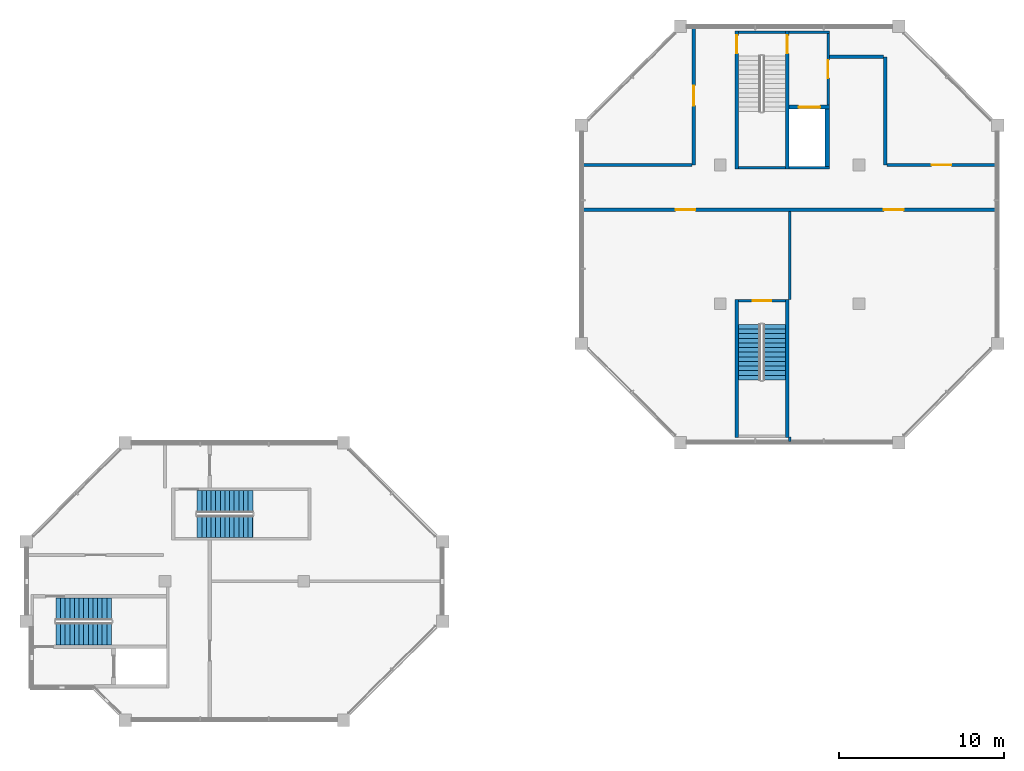
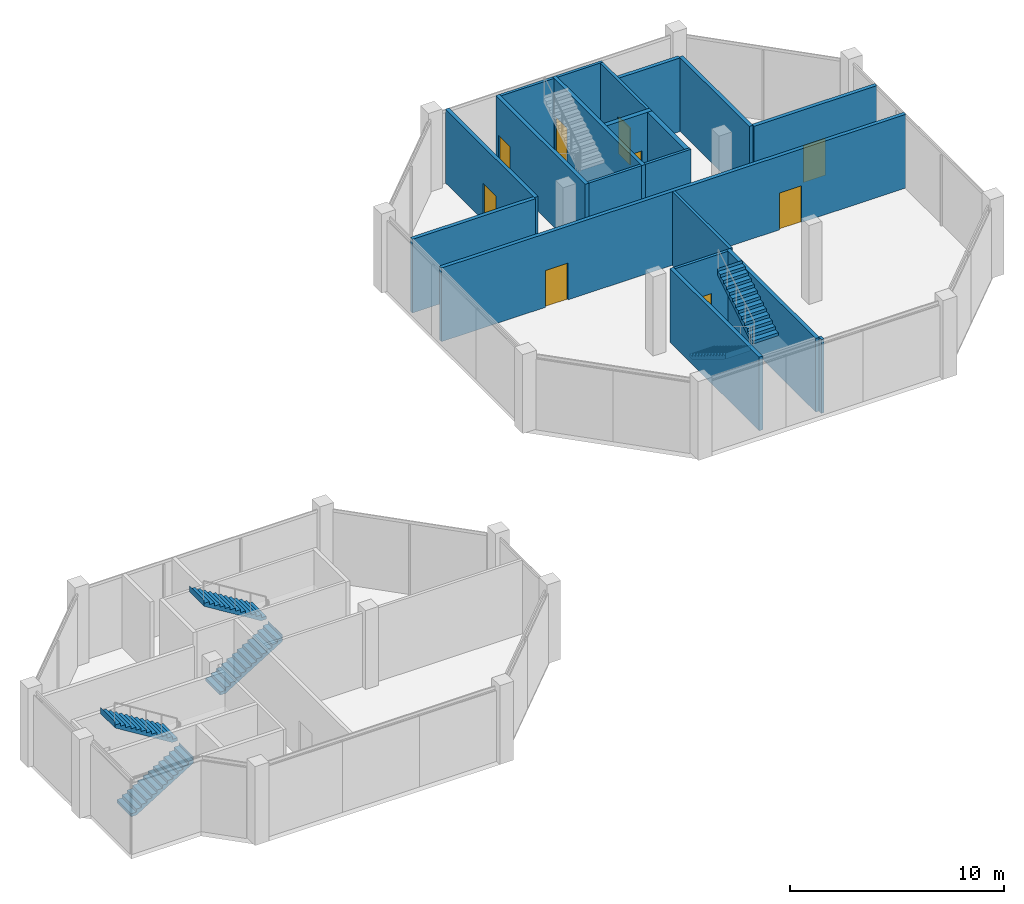
# One storey, part 6 of 9: 20 walls, 9 doors, 6 stair flights, 9 openings, 3 elements without a shape of their own.
"""IFC4 building model written with IfcOpenShell, lengths in metres."""

from ifc_helpers import new_model, si_unit, direction, frame, frame_2d, origin, place, context, subcontext, project, spatial, polyline, rectangle, outline, extrude, material, layer, layer_set, type_object, element, fill, aggregate, save


model = new_model("IFC4")

# Units and contexts
model_context = context("Model", 3, precision=1e-05, world=origin(), true_north=direction((0.0, 1.0)))
body_context = subcontext(model_context, "Body", "Model", "MODEL_VIEW")
ifc_project = project(units=[si_unit("LENGTHUNIT", "METRE"), si_unit("AREAUNIT", "SQUARE_METRE"), si_unit("VOLUMEUNIT", "CUBIC_METRE"), si_unit("PLANEANGLEUNIT", "RADIAN"), si_unit("MASSUNIT", "GRAM", prefix="KILO")], contexts=[model_context])

# Site, building, storey
site_placement = place(None, origin())
site = spatial("IfcSite", under=ifc_project, at=site_placement, CompositionType="ELEMENT")
building_placement = place(site_placement, origin())
building = spatial("IfcBuilding", under=site, at=building_placement, Name="Kawkab Arch Medical Tower", CompositionType="ELEMENT")
storey_placement = place(building_placement, frame((0.0, 0.0, 341.199951171875)))
storey = spatial("IfcBuildingStorey", under=building, at=storey_placement, Name="L79", CompositionType="ELEMENT", Elevation=341.199951171875)

# Wall, opening, door
ifc_material_1 = material(Name="Gypsum board on steel studs", Category="steel")
ifc_layer_1 = layer(ifc_material_1, 0.14990234375)
ifc_layer_set_1 = layer_set([ifc_layer_1], Name="Gypsum board on steel studs")
wall_type_1 = type_object("IfcWallType", Name="Core room partition 150", PredefinedType="PARTITIONING", material=ifc_layer_set_1)
wall_1_placement = place(storey_placement, frame((48.52490234375, -4.77490234375, 0.0), z_axis=(0.0, 0.0, 1.0), x_axis=(0.0, 1.0, 0.0)))
wall_1 = element("IfcWall", 1, at=wall_1_placement, inside=storey, type_object=wall_type_1, Name="L79 core room partition", PredefinedType="PARTITIONING", context=body_context, shape_type="SweptSolid", body=[
    extrude(rectangle(XDim=4.324951171875, YDim=0.14990234375, at=frame_2d((2.16259765625, 0.0))), origin(), (0.0, 0.0, 1.0), 4.199951171875),
])
opening_1_placement = place(wall_1_placement, frame((1.625, 0.0, 0.0)))
opening_1 = element("IfcOpeningElement", 2, at=opening_1_placement, cuts=wall_1, Name="Opening FD", PredefinedType="OPENING", context=body_context, shape_type="SweptSolid", body=[
    extrude(rectangle(XDim=1.10009765625, YDim=2.10009765625, at=frame_2d((0.550048828125, 1.050048828125))), frame((0.0, 0.0849609375, 0.0), z_axis=(0.0, -1.0, 0.0), x_axis=(1.0, 0.0, 0.0)), (0.0, 0.0, 1.0), 0.169921875),
])
ifc_material_2 = material(Name="Hollow metal fire door leaf")
door_type_1 = type_object("IfcDoorType", Name="Firefighting lobby door 1100", OperationType="SINGLE_SWING_LEFT", PredefinedType="DOOR", material=ifc_material_2)
door_1_placement = place(opening_1_placement, origin())
door_1 = element("IfcDoor", 3, at=door_1_placement, inside=storey, type_object=door_type_1, Name="L79 Service lift lobby door SV1", OperationType="SINGLE_SWING_LEFT", OverallHeight=2.10009765625, OverallWidth=1.10009765625, PredefinedType="DOOR", context=body_context, shape_type="SweptSolid", body=[
    extrude(rectangle(XDim=1.10009765625, YDim=2.10009765625, at=frame_2d((0.550048828125, 1.050048828125))), frame((0.0, 0.02490234375, 0.0), z_axis=(0.0, -1.0, 0.0), x_axis=(1.0, 0.0, 0.0)), (0.0, 0.0, 1.0), 0.050048828125),
])
fill(opening_1, door_1)

ifc_material_3 = material(Name="Concrete C60/75", Category="concrete")
ifc_layer_2 = layer(ifc_material_3, 0.25)
ifc_layer_set_2 = layer_set([ifc_layer_2], Name="Concrete C60/75")
wall_type_2 = type_object("IfcWallType", Name="Core shear wall 250 C60/75", PredefinedType="SHEAR", material=ifc_layer_set_2)
wall_2_placement = place(storey_placement, frame((46.14990234375, -4.89990234375, 0.0), z_axis=(0.0, 0.0, 1.0), x_axis=(1.0, 0.0, 0.0)))
wall_2 = element("IfcWall", 4, at=wall_2_placement, inside=storey, type_object=wall_type_2, Name="L79 core shear wall", PredefinedType="SHEAR", context=body_context, shape_type="SweptSolid", body=[
    extrude(rectangle(XDim=2.4501953125, YDim=0.25, at=frame_2d((1.22509765625, 0.0))), origin(), (0.0, 0.0, 1.0), 4.199951171875),
])
opening_2_placement = place(wall_2_placement, frame((0.60009765625, 0.0, 0.0)))
opening_2 = element("IfcOpeningElement", 5, at=opening_2_placement, cuts=wall_2, Name="Opening LD2", PredefinedType="OPENING", context=body_context, shape_type="SweptSolid", body=[
    extrude(rectangle(XDim=1.300048828125, YDim=2.10009765625, at=frame_2d((0.64990234375, 1.050048828125))), frame((0.0, 0.135009765625, 0.0), z_axis=(0.0, -1.0, 0.0), x_axis=(1.0, 0.0, 0.0)), (0.0, 0.0, 1.0), 0.27001953125),
])
ifc_material_4 = material(Name="Stainless steel lift door leaf", Category="steel")
door_type_2 = type_object("IfcDoorType", Name="Lift landing door 1300", OperationType="DOUBLE_DOOR_SLIDING", PredefinedType="DOOR", material=ifc_material_4)
door_2_placement = place(opening_2_placement, origin())
door_2 = element("IfcDoor", 6, at=door_2_placement, inside=storey, type_object=door_type_2, Name="L79 Lift landing door SV1", OperationType="DOUBLE_DOOR_SLIDING", OverallHeight=2.10009765625, OverallWidth=1.300048828125, PredefinedType="DOOR", context=body_context, shape_type="SweptSolid", body=[
    extrude(rectangle(XDim=1.300048828125, YDim=2.10009765625, at=frame_2d((0.64990234375, 1.050048828125))), frame((0.0, 0.02490234375, 0.0), z_axis=(0.0, -1.0, 0.0), x_axis=(1.0, 0.0, 0.0)), (0.0, 0.0, 1.0), 0.050048828125),
])
fill(opening_2, door_2)

# Walls
wall_3_placement = place(storey_placement, frame((48.47509765625, -8.5, 0.0), z_axis=(0.0, 0.0, 1.0), x_axis=(0.0, 1.0, 0.0)))
element("IfcWall", 7, at=wall_3_placement, inside=storey, type_object=wall_type_2, Name="L79 core shear wall", PredefinedType="SHEAR", context=body_context, shape_type="SweptSolid", body=[
    extrude(rectangle(XDim=3.47509765625, YDim=0.25, at=frame_2d((1.737548828125, 0.0))), origin(), (0.0, 0.0, 1.0), 4.199951171875),
])
ifc_material_5 = material(Name="Gypsum board partition on steel studs, mineral wool", Category="steel")
ifc_layer_3 = layer(ifc_material_5, 0.14990234375)
ifc_layer_set_3 = layer_set([ifc_layer_3], Name="Gypsum board partition on steel studs, mineral wool")
wall_type_3 = type_object("IfcWallType", Name="Partition 150", PredefinedType="PARTITIONING", material=ifc_layer_set_3)
wall_4_placement = place(storey_placement, frame((46.199951171875, -25.1201171875, 0.0), z_axis=(0.0, 0.0, 1.0), x_axis=(0.0, 1.0, 0.0)))
element("IfcWall", 8, at=wall_4_placement, inside=storey, type_object=wall_type_3, Name="Partition 150 w002", PredefinedType="PARTITIONING", context=body_context, shape_type="SweptSolid", body=[
    extrude(rectangle(XDim=0.27001953125, YDim=0.14990234375, at=frame_2d((0.135009765625, 0.0))), origin(), (0.0, 0.0, 1.0), 4.199951171875),
])
wall_5_placement = place(storey_placement, frame((46.199951171875, -16.549072265625, 0.0), z_axis=(0.0, 0.0, 1.0), x_axis=(0.0, 1.0, 0.0)))
element("IfcWall", 9, at=wall_5_placement, inside=storey, type_object=wall_type_3, Name="Partition 150 w003", PredefinedType="PARTITIONING", context=body_context, shape_type="SweptSolid", body=[
    extrude(rectangle(XDim=5.34912109375, YDim=0.14990234375, at=frame_2d((2.674560546875, 0.0))), origin(), (0.0, 0.0, 1.0), 4.199951171875),
])

# Wall, openings, doors
ifc_material_6 = material(Name="Fire-rated gypsum board partition on steel studs", Category="steel")
ifc_layer_4 = layer(ifc_material_6, 0.199951171875)
ifc_layer_set_4 = layer_set([ifc_layer_4], Name="Fire-rated gypsum board partition on steel studs")
wall_type_4 = type_object("IfcWallType", Name="Protected partition 200", PredefinedType="PARTITIONING", material=ifc_layer_set_4)
wall_6_placement = place(storey_placement, frame((33.679931640625, -11.10009765625, 0.0), z_axis=(0.0, 0.0, 1.0), x_axis=(1.0, 0.0, 0.0)))
wall_6 = element("IfcWall", 10, at=wall_6_placement, inside=storey, type_object=wall_type_4, Name="Protected partition 200 w005", PredefinedType="PARTITIONING", context=body_context, shape_type="SweptSolid", body=[
    extrude(rectangle(XDim=25.0400390625, YDim=0.199951171875, at=frame_2d((12.52001953125, 0.0))), origin(), (0.0, 0.0, 1.0), 4.199951171875),
])
opening_3_placement = place(wall_6_placement, frame((5.6201171875, 0.0, 0.0)))
opening_3 = element("IfcOpeningElement", 11, at=opening_3_placement, cuts=wall_6, Name="Opening C79-001", PredefinedType="OPENING", context=body_context, shape_type="SweptSolid", body=[
    extrude(rectangle(XDim=1.199951171875, YDim=2.10009765625, at=frame_2d((0.60009765625, 1.050048828125))), frame((0.0, 0.10986328125, 0.0), z_axis=(0.0, -1.0, 0.0), x_axis=(1.0, 0.0, 0.0)), (0.0, 0.0, 1.0), 0.219970703125),
])
opening_4_placement = place(wall_6_placement, frame((18.219970703125, 0.0, 0.0)))
opening_4 = element("IfcOpeningElement", 12, at=opening_4_placement, cuts=wall_6, Name="Opening C79-002", PredefinedType="OPENING", context=body_context, shape_type="SweptSolid", body=[
    extrude(rectangle(XDim=1.199951171875, YDim=2.10009765625, at=frame_2d((0.60009765625, 1.050048828125))), frame((0.0, 0.10986328125, 0.0), z_axis=(0.0, -1.0, 0.0), x_axis=(1.0, 0.0, 0.0)), (0.0, 0.0, 1.0), 0.219970703125),
])
ifc_material_7 = material(Name="Hollow metal door leaf")
door_type_3 = type_object("IfcDoorType", Name="Single door 1200x2100 FD60", OperationType="NOTDEFINED", PredefinedType="DOOR", material=ifc_material_7)
door_3_placement = place(opening_3_placement, origin())
door_3 = element("IfcDoor", 13, at=door_3_placement, inside=storey, type_object=door_type_3, Name="Door C79-001", OperationType="SINGLE_SWING_RIGHT", OverallHeight=2.10009765625, OverallWidth=1.199951171875, PredefinedType="DOOR", context=body_context, shape_type="SweptSolid", body=[
    extrude(rectangle(XDim=1.199951171875, YDim=2.10009765625, at=frame_2d((0.60009765625, 1.050048828125))), frame((0.0, 0.02490234375, 0.0), z_axis=(0.0, -1.0, 0.0), x_axis=(1.0, 0.0, 0.0)), (0.0, 0.0, 1.0), 0.050048828125),
])
fill(opening_3, door_3)
door_4_placement = place(opening_4_placement, origin())
door_4 = element("IfcDoor", 14, at=door_4_placement, inside=storey, type_object=door_type_3, Name="Door C79-002", OperationType="SINGLE_SWING_LEFT", OverallHeight=2.10009765625, OverallWidth=1.199951171875, PredefinedType="DOOR", context=body_context, shape_type="SweptSolid", body=[
    extrude(rectangle(XDim=1.199951171875, YDim=2.10009765625, at=frame_2d((0.60009765625, 1.050048828125))), frame((0.0, 0.02490234375, 0.0), z_axis=(0.0, -1.0, 0.0), x_axis=(1.0, 0.0, 0.0)), (0.0, 0.0, 1.0), 0.050048828125),
])
fill(opening_4, door_4)

# Wall
wall_7_placement = place(storey_placement, frame((33.679931640625, -8.39990234375, 0.0), z_axis=(0.0, 0.0, 1.0), x_axis=(1.0, 0.0, 0.0)))
element("IfcWall", 15, at=wall_7_placement, inside=storey, type_object=wall_type_4, Name="Protected partition 200 w006", PredefinedType="PARTITIONING", context=body_context, shape_type="SweptSolid", body=[
    extrude(rectangle(XDim=6.626953125, YDim=0.199951171875, at=frame_2d((3.3134765625, 0.0))), origin(), (0.0, 0.0, 1.0), 4.199951171875),
])

# Wall, opening, door
wall_8_placement = place(storey_placement, frame((52.093017578125, -8.39990234375, 0.0), z_axis=(0.0, 0.0, 1.0), x_axis=(1.0, 0.0, 0.0)))
wall_8 = element("IfcWall", 16, at=wall_8_placement, inside=storey, type_object=wall_type_4, Name="Protected partition 200 w007", PredefinedType="PARTITIONING", context=body_context, shape_type="SweptSolid", body=[
    extrude(rectangle(XDim=6.626953125, YDim=0.199951171875, at=frame_2d((3.3134765625, 0.0))), origin(), (0.0, 0.0, 1.0), 4.199951171875),
])
opening_5_placement = place(wall_8_placement, frame((2.702880859375, 0.0, 0.0)))
opening_5 = element("IfcOpeningElement", 17, at=opening_5_placement, cuts=wall_8, Name="Opening C79-004", PredefinedType="OPENING", context=body_context, shape_type="SweptSolid", body=[
    extrude(rectangle(XDim=1.199951171875, YDim=2.10009765625, at=frame_2d((0.60009765625, 1.050048828125))), frame((0.0, 0.10986328125, 0.0), z_axis=(0.0, -1.0, 0.0), x_axis=(1.0, 0.0, 0.0)), (0.0, 0.0, 1.0), 0.219970703125),
])
door_5_placement = place(opening_5_placement, origin())
door_5 = element("IfcDoor", 18, at=door_5_placement, inside=storey, type_object=door_type_3, Name="Door C79-004", OperationType="SINGLE_SWING_RIGHT", OverallHeight=2.10009765625, OverallWidth=1.199951171875, PredefinedType="DOOR", context=body_context, shape_type="SweptSolid", body=[
    extrude(rectangle(XDim=1.199951171875, YDim=2.10009765625, at=frame_2d((0.60009765625, 1.050048828125))), frame((0.0, 0.02490234375, 0.0), z_axis=(0.0, -1.0, 0.0), x_axis=(1.0, 0.0, 0.0)), (0.0, 0.0, 1.0), 0.050048828125),
])
fill(opening_5, door_5)

# Wall
wall_9_placement = place(storey_placement, frame((48.60009765625, -1.85009765625, 0.0), z_axis=(0.0, 0.0, 1.0), x_axis=(1.0, 0.0, 0.0)))
element("IfcWall", 19, at=wall_9_placement, inside=storey, type_object=wall_type_4, Name="Protected partition 200 w008", PredefinedType="PARTITIONING", context=body_context, shape_type="SweptSolid", body=[
    extrude(rectangle(XDim=3.291015625, YDim=0.199951171875, at=frame_2d((1.6455078125, 0.0))), origin(), (0.0, 0.0, 1.0), 4.199951171875),
])

# Wall, opening, door
wall_10_placement = place(storey_placement, frame((40.406982421875, -8.39990234375, 0.0), z_axis=(0.0, 0.0, 1.0), x_axis=(0.0, 1.0, 0.0)))
wall_10 = element("IfcWall", 20, at=wall_10_placement, inside=storey, type_object=wall_type_4, Name="Protected partition 200 w012", PredefinedType="PARTITIONING", context=body_context, shape_type="SweptSolid", body=[
    extrude(rectangle(XDim=8.31982421875, YDim=0.199951171875, at=frame_2d((4.159912109375, 0.0))), origin(), (0.0, 0.0, 1.0), 4.199951171875),
])
opening_6_placement = place(wall_10_placement, frame((3.60009765625, 0.0, 0.0)))
opening_6 = element("IfcOpeningElement", 21, at=opening_6_placement, cuts=wall_10, Name="Opening C79-003", PredefinedType="OPENING", context=body_context, shape_type="SweptSolid", body=[
    extrude(rectangle(XDim=1.199951171875, YDim=2.10009765625, at=frame_2d((0.60009765625, 1.050048828125))), frame((0.0, 0.10986328125, 0.0), z_axis=(0.0, -1.0, 0.0), x_axis=(1.0, 0.0, 0.0)), (0.0, 0.0, 1.0), 0.219970703125),
])
door_6_placement = place(opening_6_placement, origin())
door_6 = element("IfcDoor", 22, at=door_6_placement, inside=storey, type_object=door_type_3, Name="Door C79-003", OperationType="SINGLE_SWING_LEFT", OverallHeight=2.10009765625, OverallWidth=1.199951171875, PredefinedType="DOOR", context=body_context, shape_type="SweptSolid", body=[
    extrude(rectangle(XDim=1.199951171875, YDim=2.10009765625, at=frame_2d((0.60009765625, 1.050048828125))), frame((0.0, 0.02490234375, 0.0), z_axis=(0.0, -1.0, 0.0), x_axis=(1.0, 0.0, 0.0)), (0.0, 0.0, 1.0), 0.050048828125),
])
fill(opening_6, door_6)

# Walls
wall_11_placement = place(storey_placement, frame((51.992919921875, -8.39990234375, 0.0), z_axis=(0.0, 0.0, 1.0), x_axis=(0.0, 1.0, 0.0)))
element("IfcWall", 23, at=wall_11_placement, inside=storey, type_object=wall_type_4, Name="Protected partition 200 w013", PredefinedType="PARTITIONING", context=body_context, shape_type="SweptSolid", body=[
    extrude(rectangle(XDim=6.5478515625, YDim=0.199951171875, at=frame_2d((3.27392578125, 0.0))), origin(), (0.0, 0.0, 1.0), 4.199951171875),
])
ifc_material_8 = material(Name="Concrete C50/60", Category="concrete")
ifc_layer_5 = layer(ifc_material_8, 0.14990234375)
ifc_layer_set_5 = layer_set([ifc_layer_5], Name="Concrete C50/60")
wall_type_5 = type_object("IfcWallType", Name="Stair enclosure wall 150 C50/60", PredefinedType="SHEAR", material=ifc_layer_set_5)
wall_12_placement = place(storey_placement, frame((43.10009765625, -0.375, 0.0), z_axis=(0.0, 0.0, 1.0), x_axis=(1.0, 0.0, 0.0)))
element("IfcWall", 24, at=wall_12_placement, inside=storey, type_object=wall_type_5, Name="L79 stair enclosure wall", PredefinedType="SHEAR", context=body_context, shape_type="SweptSolid", body=[
    extrude(rectangle(XDim=2.849853515625, YDim=0.14990234375, at=frame_2d((1.4248046875, 0.0))), origin(), (0.0, 0.0, 1.0), 4.199951171875),
])
wall_13_placement = place(storey_placement, frame((46.14990234375, -0.375, 0.0), z_axis=(0.0, 0.0, 1.0), x_axis=(1.0, 0.0, 0.0)))
element("IfcWall", 25, at=wall_13_placement, inside=storey, type_object=wall_type_5, Name="L79 stair enclosure wall", PredefinedType="SHEAR", context=body_context, shape_type="SweptSolid", body=[
    extrude(rectangle(XDim=2.4501953125, YDim=0.14990234375, at=frame_2d((1.22509765625, 0.0))), origin(), (0.0, 0.0, 1.0), 4.199951171875),
])
wall_14_placement = place(storey_placement, frame((43.10009765625, -8.574951171875, 0.0), z_axis=(0.0, 0.0, 1.0), x_axis=(1.0, 0.0, 0.0)))
element("IfcWall", 26, at=wall_14_placement, inside=storey, type_object=wall_type_5, Name="L79 stair enclosure wall", PredefinedType="SHEAR", context=body_context, shape_type="SweptSolid", body=[
    extrude(rectangle(XDim=2.849853515625, YDim=0.14990234375, at=frame_2d((1.4248046875, 0.0))), origin(), (0.0, 0.0, 1.0), 4.199951171875),
])
wall_15_placement = place(storey_placement, frame((46.14990234375, -8.574951171875, 0.0), z_axis=(0.0, 0.0, 1.0), x_axis=(1.0, 0.0, 0.0)))
element("IfcWall", 27, at=wall_15_placement, inside=storey, type_object=wall_type_5, Name="L79 stair enclosure wall", PredefinedType="SHEAR", context=body_context, shape_type="SweptSolid", body=[
    extrude(rectangle(XDim=2.4501953125, YDim=0.14990234375, at=frame_2d((1.22509765625, 0.0))), origin(), (0.0, 0.0, 1.0), 4.199951171875),
])

# Wall, opening, door
wall_16_placement = place(storey_placement, frame((43.10009765625, -16.625, 0.0), z_axis=(0.0, 0.0, 1.0), x_axis=(1.0, 0.0, 0.0)))
wall_16 = element("IfcWall", 28, at=wall_16_placement, inside=storey, type_object=wall_type_5, Name="L79 stair enclosure wall", PredefinedType="SHEAR", context=body_context, shape_type="SweptSolid", body=[
    extrude(rectangle(XDim=2.849853515625, YDim=0.14990234375, at=frame_2d((1.4248046875, 0.0))), origin(), (0.0, 0.0, 1.0), 4.199951171875),
])
opening_7_placement = place(wall_16_placement, frame((0.875, 0.0, 0.0)))
opening_7 = element("IfcOpeningElement", 29, at=opening_7_placement, cuts=wall_16, Name="Opening SD", PredefinedType="OPENING", context=body_context, shape_type="SweptSolid", body=[
    extrude(rectangle(XDim=1.10009765625, YDim=2.10009765625, at=frame_2d((0.550048828125, 1.050048828125))), frame((0.0, 0.0849609375, 0.0), z_axis=(0.0, -1.0, 0.0), x_axis=(1.0, 0.0, 0.0)), (0.0, 0.0, 1.0), 0.169921875),
])
ifc_material_9 = material(Name="Hollow metal fire door leaf")
door_type_4 = type_object("IfcDoorType", Name="Exit stair door 1100", OperationType="SINGLE_SWING_LEFT", PredefinedType="DOOR", material=ifc_material_9)
door_7_placement = place(opening_7_placement, origin())
door_7 = element("IfcDoor", 30, at=door_7_placement, inside=storey, type_object=door_type_4, Name="L79 Exit stair ST8 door", OperationType="SINGLE_SWING_LEFT", OverallHeight=2.10009765625, OverallWidth=1.10009765625, PredefinedType="DOOR", context=body_context, shape_type="SweptSolid", body=[
    extrude(rectangle(XDim=1.10009765625, YDim=2.10009765625, at=frame_2d((0.550048828125, 1.050048828125))), frame((0.0, 0.02490234375, 0.0), z_axis=(0.0, -1.0, 0.0), x_axis=(1.0, 0.0, 0.0)), (0.0, 0.0, 1.0), 0.050048828125),
])
fill(opening_7, door_7)

ifc_material_10 = material(Name="Concrete C50/60", Category="concrete")
ifc_layer_6 = layer(ifc_material_10, 0.199951171875)
ifc_layer_set_6 = layer_set([ifc_layer_6], Name="Concrete C50/60")
wall_type_6 = type_object("IfcWallType", Name="Stair enclosure wall 200 C50/60", PredefinedType="SHEAR", material=ifc_layer_set_6)
wall_17_placement = place(storey_placement, frame((43.0, -8.64990234375, 0.0), z_axis=(0.0, 0.0, 1.0), x_axis=(0.0, 1.0, 0.0)))
wall_17 = element("IfcWall", 31, at=wall_17_placement, inside=storey, type_object=wall_type_6, Name="L79 stair enclosure wall", PredefinedType="SHEAR", context=body_context, shape_type="SweptSolid", body=[
    extrude(rectangle(XDim=8.349853515625, YDim=0.199951171875, at=frame_2d((4.1748046875, 0.0))), origin(), (0.0, 0.0, 1.0), 4.199951171875),
])
opening_8_placement = place(wall_17_placement, frame((7.0, 0.0, 0.0)))
opening_8 = element("IfcOpeningElement", 32, at=opening_8_placement, cuts=wall_17, Name="Opening SD", PredefinedType="OPENING", context=body_context, shape_type="SweptSolid", body=[
    extrude(rectangle(XDim=1.10009765625, YDim=2.10009765625, at=frame_2d((0.550048828125, 1.050048828125))), frame((0.0, 0.10986328125, 0.0), z_axis=(0.0, -1.0, 0.0), x_axis=(1.0, 0.0, 0.0)), (0.0, 0.0, 1.0), 0.219970703125),
])
door_8_placement = place(opening_8_placement, frame((1.10009765625, 0.0, 0.0), z_axis=(0.0, 0.0, 1.0), x_axis=(-1.0, 0.0, 0.0)))
door_8 = element("IfcDoor", 33, at=door_8_placement, inside=storey, type_object=door_type_4, Name="L79 Exit stair ST5 door", OperationType="SINGLE_SWING_LEFT", OverallHeight=2.10009765625, OverallWidth=1.10009765625, PredefinedType="DOOR", context=body_context, shape_type="SweptSolid", body=[
    extrude(rectangle(XDim=1.10009765625, YDim=2.10009765625, at=frame_2d((0.550048828125, 1.050048828125))), frame((0.0, 0.02490234375, 0.0), z_axis=(0.0, -1.0, 0.0), x_axis=(1.0, 0.0, 0.0)), (0.0, 0.0, 1.0), 0.050048828125),
])
fill(opening_8, door_8)

wall_18_placement = place(storey_placement, frame((46.050048828125, -8.64990234375, 0.0), z_axis=(0.0, 0.0, 1.0), x_axis=(0.0, 1.0, 0.0)))
wall_18 = element("IfcWall", 34, at=wall_18_placement, inside=storey, type_object=wall_type_6, Name="L79 stair enclosure wall", PredefinedType="SHEAR", context=body_context, shape_type="SweptSolid", body=[
    extrude(rectangle(XDim=8.349853515625, YDim=0.199951171875, at=frame_2d((4.1748046875, 0.0))), origin(), (0.0, 0.0, 1.0), 4.199951171875),
])
opening_9_placement = place(wall_18_placement, frame((7.0, 0.0, 0.0)))
opening_9 = element("IfcOpeningElement", 35, at=opening_9_placement, cuts=wall_18, Name="Opening SD", PredefinedType="OPENING", context=body_context, shape_type="SweptSolid", body=[
    extrude(rectangle(XDim=1.10009765625, YDim=2.10009765625, at=frame_2d((0.550048828125, 1.050048828125))), frame((0.0, 0.10986328125, 0.0), z_axis=(0.0, -1.0, 0.0), x_axis=(1.0, 0.0, 0.0)), (0.0, 0.0, 1.0), 0.219970703125),
])
door_9_placement = place(opening_9_placement, origin())
door_9 = element("IfcDoor", 36, at=door_9_placement, inside=storey, type_object=door_type_4, Name="L79 Exit stair ST5 lobby door", OperationType="SINGLE_SWING_LEFT", OverallHeight=2.10009765625, OverallWidth=1.10009765625, PredefinedType="DOOR", context=body_context, shape_type="SweptSolid", body=[
    extrude(rectangle(XDim=1.10009765625, YDim=2.10009765625, at=frame_2d((0.550048828125, 1.050048828125))), frame((0.0, 0.02490234375, 0.0), z_axis=(0.0, -1.0, 0.0), x_axis=(1.0, 0.0, 0.0)), (0.0, 0.0, 1.0), 0.050048828125),
])
fill(opening_9, door_9)

# Walls
for number, where, z_axis, x_axis, name in (
    (37, (43.0, -24.89990234375, 0.0), (0.0, 0.0, 1.0), (0.0, 1.0, 0.0), "L79 stair enclosure wall"),
    (38, (46.050048828125, -24.89990234375, 0.0), (0.0, 0.0, 1.0), (0.0, 1.0, 0.0), "L79 stair enclosure wall"),
):
    element("IfcWall", number, at=place(storey_placement, frame(where, z_axis=z_axis, x_axis=x_axis)), inside=storey, type_object=wall_type_6, Name=name, PredefinedType="SHEAR", context=body_context, shape_type="SweptSolid", body=[
        extrude(rectangle(XDim=8.349853515625, YDim=0.199951171875, at=frame_2d((4.1748046875, 0.0))), origin(), (0.0, 0.0, 1.0), 4.199951171875),
    ])

# Stair, stair flights
ifc_material_11 = material(Name="Concrete C40/50", Category="concrete")
stair_type = type_object("IfcStairType", Name="Exit stair 1350", PredefinedType="HALF_TURN_STAIR", material=ifc_material_11)
placement = place(storey_placement, origin())
stair_1 = element("IfcStair", 39, at=placement, inside=storey, type_object=stair_type, Name="L79 Exit stair ST6", PredefinedType="HALF_TURN_STAIR")
ifc_material_12 = material(Name="Concrete C40/50", Category="concrete")
stair_flight_type = type_object("IfcStairFlightType", Name="Exit stair flight 1350", PredefinedType="STRAIGHT", material=ifc_material_12)
stair_flight_1_placement = place(storey_placement, frame((1.800048828125, -36.77490234375, 0.0), z_axis=(0.0, 0.0, 1.0), x_axis=(1.0, 0.0, 0.0)))
stair_flight_1 = element("IfcStairFlight", 40, at=stair_flight_1_placement, type_object=stair_flight_type, Name="ST6 flight 1", NumberOfRisers=13, NumberOfTreads=12, PredefinedType="STRAIGHT", RiserHeight=0.173076923, TreadLength=0.28, context=body_context, shape_type="SweptSolid", body=[
    extrude(outline(polyline([(-0.0029296875, 0.0), (-0.0029296875, 0.173095703125), (0.0, 0.173095703125), (0.280029296875, 0.173095703125), (0.280029296875, 0.34619140625), (0.56005859375, 0.34619140625), (0.56005859375, 0.519287109375), (0.840087890625, 0.519287109375), (0.840087890625, 0.6923828125), (1.1201171875, 0.6923828125), (1.1201171875, 0.865478515625), (1.39990234375, 0.865478515625), (1.39990234375, 1.03857421875), (1.679931640625, 1.03857421875), (1.679931640625, 1.21142578125), (1.9599609375, 1.21142578125), (1.9599609375, 1.384521484375), (2.239990234375, 1.384521484375), (2.239990234375, 1.5576171875), (2.52001953125, 1.5576171875), (2.52001953125, 1.730712890625), (2.800048828125, 1.730712890625), (2.800048828125, 1.90380859375), (3.080078125, 1.90380859375), (3.080078125, 2.076904296875), (3.360107421875, 2.076904296875), (3.360107421875, 2.25), (3.363037109375, 2.25), (3.363037109375, 1.900634765625), (3.360107421875, 1.900634765625), (0.28515625, 0.0), (-0.0029296875, 0.0)])), frame((0.0, 0.675048828125, 0.0), z_axis=(0.0, -1.0, 0.0), x_axis=(1.0, 0.0, 0.0)), (0.0, 0.0, 1.0), 1.35009765625),
])
stair_flight_2_placement = place(storey_placement, frame((5.159912109375, -35.27490234375, 2.25), z_axis=(0.0, 0.0, 1.0), x_axis=(-1.0, 0.0, 0.0)))
stair_flight_2 = element("IfcStairFlight", 41, at=stair_flight_2_placement, type_object=stair_flight_type, Name="ST6 flight 2", NumberOfRisers=13, NumberOfTreads=12, PredefinedType="STRAIGHT", RiserHeight=0.173076923, TreadLength=0.28, context=body_context, shape_type="SweptSolid", body=[
    extrude(outline(polyline([(-0.0029296875, 0.0), (-0.0029296875, 0.173095703125), (0.0, 0.173095703125), (0.280029296875, 0.173095703125), (0.280029296875, 0.34619140625), (0.56005859375, 0.34619140625), (0.56005859375, 0.519287109375), (0.840087890625, 0.519287109375), (0.840087890625, 0.6923828125), (1.1201171875, 0.6923828125), (1.1201171875, 0.865478515625), (1.39990234375, 0.865478515625), (1.39990234375, 1.03857421875), (1.679931640625, 1.03857421875), (1.679931640625, 1.21142578125), (1.9599609375, 1.21142578125), (1.9599609375, 1.384521484375), (2.239990234375, 1.384521484375), (2.239990234375, 1.5576171875), (2.52001953125, 1.5576171875), (2.52001953125, 1.730712890625), (2.800048828125, 1.730712890625), (2.800048828125, 1.90380859375), (3.080078125, 1.90380859375), (3.080078125, 2.076904296875), (3.360107421875, 2.076904296875), (3.360107421875, 2.25), (3.363037109375, 2.25), (3.363037109375, 1.900634765625), (3.360107421875, 1.900634765625), (0.28515625, 0.0), (-0.0029296875, 0.0)])), frame((0.0, 0.675048828125, 0.0), z_axis=(0.0, -1.0, 0.0), x_axis=(1.0, 0.0, 0.0)), (0.0, 0.0, 1.0), 1.35009765625),
])
aggregate(stair_1, [stair_flight_1, stair_flight_2])

stair_2 = element("IfcStair", 42, at=placement, inside=storey, type_object=stair_type, Name="L79 Exit stair ST8", PredefinedType="HALF_TURN_STAIR")
stair_flight_3_placement = place(storey_placement, frame((43.77490234375, -18.050048828125, 0.0), z_axis=(0.0, 0.0, 1.0), x_axis=(0.0, -1.0, 0.0)))
stair_flight_3 = element("IfcStairFlight", 43, at=stair_flight_3_placement, type_object=stair_flight_type, Name="ST8 flight 1", NumberOfRisers=13, NumberOfTreads=12, PredefinedType="STRAIGHT", RiserHeight=0.173076923, TreadLength=0.28, context=body_context, shape_type="SweptSolid", body=[
    extrude(outline(polyline([(-0.0029296875, 0.0), (-0.0029296875, 0.173095703125), (0.0, 0.173095703125), (0.280029296875, 0.173095703125), (0.280029296875, 0.34619140625), (0.56005859375, 0.34619140625), (0.56005859375, 0.519287109375), (0.840087890625, 0.519287109375), (0.840087890625, 0.6923828125), (1.1201171875, 0.6923828125), (1.1201171875, 0.865478515625), (1.39990234375, 0.865478515625), (1.39990234375, 1.03857421875), (1.679931640625, 1.03857421875), (1.679931640625, 1.21142578125), (1.9599609375, 1.21142578125), (1.9599609375, 1.384521484375), (2.239990234375, 1.384521484375), (2.239990234375, 1.5576171875), (2.52001953125, 1.5576171875), (2.52001953125, 1.730712890625), (2.800048828125, 1.730712890625), (2.800048828125, 1.90380859375), (3.080078125, 1.90380859375), (3.080078125, 2.076904296875), (3.360107421875, 2.076904296875), (3.360107421875, 2.25), (3.363037109375, 2.25), (3.363037109375, 1.900634765625), (3.360107421875, 1.900634765625), (0.28515625, 0.0), (-0.0029296875, 0.0)])), frame((0.0, 0.675048828125, 0.0), z_axis=(0.0, -1.0, 0.0), x_axis=(1.0, 0.0, 0.0)), (0.0, 0.0, 1.0), 1.35009765625),
])
stair_flight_4_placement = place(storey_placement, frame((45.27490234375, -21.409912109375, 2.25), z_axis=(0.0, 0.0, 1.0), x_axis=(0.0, 1.0, 0.0)))
stair_flight_4 = element("IfcStairFlight", 44, at=stair_flight_4_placement, type_object=stair_flight_type, Name="ST8 flight 2", NumberOfRisers=13, NumberOfTreads=12, PredefinedType="STRAIGHT", RiserHeight=0.173076923, TreadLength=0.28, context=body_context, shape_type="SweptSolid", body=[
    extrude(outline(polyline([(-0.0029296875, 0.0), (-0.0029296875, 0.173095703125), (0.0, 0.173095703125), (0.280029296875, 0.173095703125), (0.280029296875, 0.34619140625), (0.56005859375, 0.34619140625), (0.56005859375, 0.519287109375), (0.840087890625, 0.519287109375), (0.840087890625, 0.6923828125), (1.1201171875, 0.6923828125), (1.1201171875, 0.865478515625), (1.39990234375, 0.865478515625), (1.39990234375, 1.03857421875), (1.679931640625, 1.03857421875), (1.679931640625, 1.21142578125), (1.9599609375, 1.21142578125), (1.9599609375, 1.384521484375), (2.239990234375, 1.384521484375), (2.239990234375, 1.5576171875), (2.52001953125, 1.5576171875), (2.52001953125, 1.730712890625), (2.800048828125, 1.730712890625), (2.800048828125, 1.90380859375), (3.080078125, 1.90380859375), (3.080078125, 2.076904296875), (3.360107421875, 2.076904296875), (3.360107421875, 2.25), (3.363037109375, 2.25), (3.363037109375, 1.900634765625), (3.360107421875, 1.900634765625), (0.28515625, 0.0), (-0.0029296875, 0.0)])), frame((0.0, 0.675048828125, 0.0), z_axis=(0.0, -1.0, 0.0), x_axis=(1.0, 0.0, 0.0)), (0.0, 0.0, 1.0), 1.35009765625),
])
aggregate(stair_2, [stair_flight_3, stair_flight_4])

stair_3 = element("IfcStair", 45, at=placement, inside=storey, type_object=stair_type, Name="L79 Exit stair ST9", PredefinedType="HALF_TURN_STAIR")
stair_flight_5_placement = place(storey_placement, frame((10.35009765625, -30.27490234375, 0.0), z_axis=(0.0, 0.0, 1.0), x_axis=(1.0, 0.0, 0.0)))
stair_flight_5 = element("IfcStairFlight", 46, at=stair_flight_5_placement, type_object=stair_flight_type, Name="ST9 flight 1", NumberOfRisers=13, NumberOfTreads=12, PredefinedType="STRAIGHT", RiserHeight=0.173076923, TreadLength=0.28, context=body_context, shape_type="SweptSolid", body=[
    extrude(outline(polyline([(-0.0029296875, 0.0), (-0.0029296875, 0.173095703125), (0.0, 0.173095703125), (0.280029296875, 0.173095703125), (0.280029296875, 0.34619140625), (0.56005859375, 0.34619140625), (0.56005859375, 0.519287109375), (0.840087890625, 0.519287109375), (0.840087890625, 0.6923828125), (1.1201171875, 0.6923828125), (1.1201171875, 0.865478515625), (1.39990234375, 0.865478515625), (1.39990234375, 1.03857421875), (1.679931640625, 1.03857421875), (1.679931640625, 1.21142578125), (1.9599609375, 1.21142578125), (1.9599609375, 1.384521484375), (2.239990234375, 1.384521484375), (2.239990234375, 1.5576171875), (2.52001953125, 1.5576171875), (2.52001953125, 1.730712890625), (2.800048828125, 1.730712890625), (2.800048828125, 1.90380859375), (3.080078125, 1.90380859375), (3.080078125, 2.076904296875), (3.360107421875, 2.076904296875), (3.360107421875, 2.25), (3.363037109375, 2.25), (3.363037109375, 1.900634765625), (3.360107421875, 1.900634765625), (0.28515625, 0.0), (-0.0029296875, 0.0)])), frame((0.0, 0.675048828125, 0.0), z_axis=(0.0, -1.0, 0.0), x_axis=(1.0, 0.0, 0.0)), (0.0, 0.0, 1.0), 1.35009765625),
])
stair_flight_6_placement = place(storey_placement, frame((13.7099609375, -28.77490234375, 2.25), z_axis=(0.0, 0.0, 1.0), x_axis=(-1.0, 0.0, 0.0)))
stair_flight_6 = element("IfcStairFlight", 47, at=stair_flight_6_placement, type_object=stair_flight_type, Name="ST9 flight 2", NumberOfRisers=13, NumberOfTreads=12, PredefinedType="STRAIGHT", RiserHeight=0.173076923, TreadLength=0.28, context=body_context, shape_type="SweptSolid", body=[
    extrude(outline(polyline([(-0.0029296875, 0.0), (-0.0029296875, 0.173095703125), (0.0, 0.173095703125), (0.280029296875, 0.173095703125), (0.280029296875, 0.34619140625), (0.56005859375, 0.34619140625), (0.56005859375, 0.519287109375), (0.840087890625, 0.519287109375), (0.840087890625, 0.6923828125), (1.1201171875, 0.6923828125), (1.1201171875, 0.865478515625), (1.39990234375, 0.865478515625), (1.39990234375, 1.03857421875), (1.679931640625, 1.03857421875), (1.679931640625, 1.21142578125), (1.9599609375, 1.21142578125), (1.9599609375, 1.384521484375), (2.239990234375, 1.384521484375), (2.239990234375, 1.5576171875), (2.52001953125, 1.5576171875), (2.52001953125, 1.730712890625), (2.800048828125, 1.730712890625), (2.800048828125, 1.90380859375), (3.080078125, 1.90380859375), (3.080078125, 2.076904296875), (3.360107421875, 2.076904296875), (3.360107421875, 2.25), (3.363037109375, 2.25), (3.363037109375, 1.900634765625), (3.360107421875, 1.900634765625), (0.28515625, 0.0), (-0.0029296875, 0.0)])), frame((0.0, 0.675048828125, 0.0), z_axis=(0.0, -1.0, 0.0), x_axis=(1.0, 0.0, 0.0)), (0.0, 0.0, 1.0), 1.35009765625),
])
aggregate(stair_3, [stair_flight_5, stair_flight_6])

save(model, "model.ifc")
